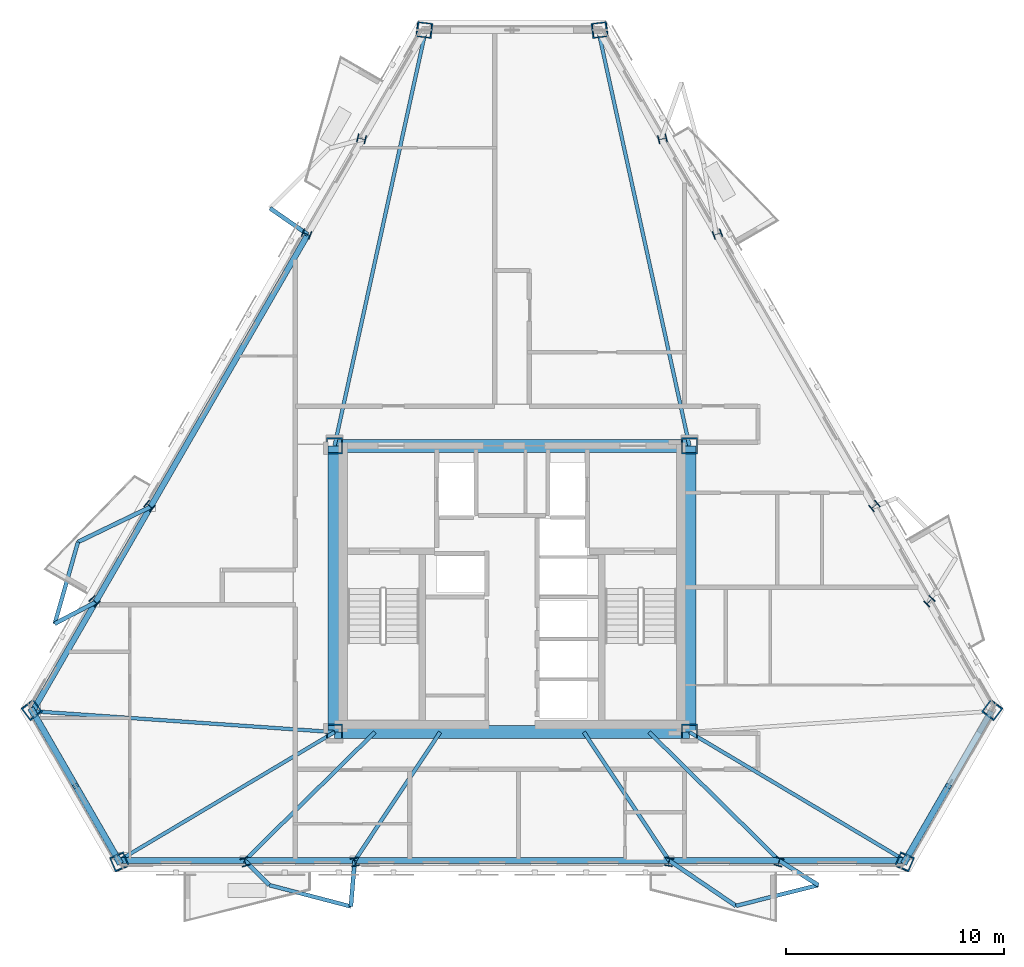
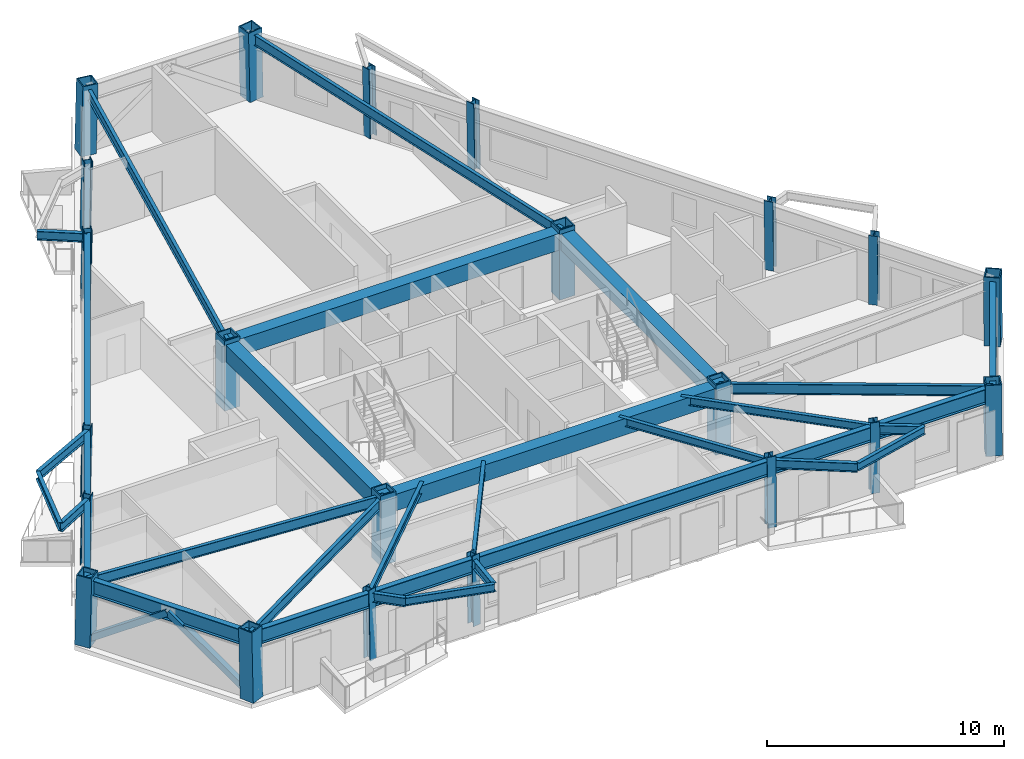
# One storey, part 1 of 10: 33 beams, 22 columns, 3 members.
"""IFC4 building model written with IfcOpenShell, lengths in metres."""

from ifc_helpers import new_model, si_unit, direction, frame, origin, origin_2d, place, context, subcontext, project, spatial, rectangle, hollow_rectangle, i_section, extrude, material, material_profile, profile_set, type_object, element, save


model = new_model("IFC4")

# Units and contexts
model_context = context("Model", 3, precision=1e-05, world=origin(), true_north=direction((0.0, 1.0)))
body_context = subcontext(model_context, "Body", "Model", "MODEL_VIEW")
ifc_project = project(units=[si_unit("LENGTHUNIT", "METRE"), si_unit("AREAUNIT", "SQUARE_METRE"), si_unit("VOLUMEUNIT", "CUBIC_METRE"), si_unit("PLANEANGLEUNIT", "RADIAN"), si_unit("MASSUNIT", "GRAM", prefix="KILO")], contexts=[model_context])

# Site, building, storey
site_placement = place(None, origin())
site = spatial("IfcSite", under=ifc_project, at=site_placement, CompositionType="ELEMENT")
building_placement = place(site_placement, origin())
building = spatial("IfcBuilding", under=site, at=building_placement, Name="Oramaril Tower", CompositionType="ELEMENT")
storey_placement = place(building_placement, frame((0.0, 0.0, 181.800048828125)))
storey = spatial("IfcBuildingStorey", under=building, at=storey_placement, Name="L48", CompositionType="ELEMENT", Elevation=181.800048828125)

# Columns
ifc_material_1 = material(Name="Steel ASTM A572 Gr 50", Category="steel")
ifc_material_profile_1 = material_profile(ifc_material_1, hollow_rectangle(XDim=0.75, YDim=0.75, WallThickness=0.06005859375, at=origin_2d()), Name="BOX750X750X60")
ifc_profile_set_1 = profile_set([ifc_material_profile_1], Name="Steel ASTM A572 Gr 50")
column_type_1 = type_object("IfcColumnType", Name="CT-CC4", PredefinedType="COLUMN", material=ifc_profile_set_1)
for number, where, z_axis, x_axis, name in (
    (1, (29.35009765625, 11.0, 0.0), (0.0, 0.0, 1.0), (1.0, 0.0, 0.0), "L48 Core Column CC-1"),
    (2, (45.64990234375, 11.0, 0.0), (0.0, 0.0, 1.0), (1.0, 0.0, 0.0), "L48 Core Column CC-2"),
    (3, (45.64990234375, 24.14990234375, 0.0), (0.0, 0.0, 1.0), (1.0, 0.0, 0.0), "L48 Core Column CC-3"),
    (4, (29.35009765625, 24.14990234375, 0.0), (0.0, 0.0, 1.0), (1.0, 0.0, 0.0), "L48 Core Column CC-4"),
):
    element("IfcColumn", number, at=place(storey_placement, frame(where, z_axis=z_axis, x_axis=x_axis)), inside=storey, type_object=column_type_1, Name=name, PredefinedType="COLUMN", context=body_context, shape_type="SweptSolid", body=[
        extrude(hollow_rectangle(XDim=0.75, YDim=0.75, WallThickness=0.06005859375, at=origin_2d()), origin(), (0.0, 0.0, 1.0), 3.599853515625),
    ])
ifc_material_2 = material(Name="Steel ASTM A572 Gr 50", Category="steel")
ifc_material_profile_2 = material_profile(ifc_material_2, hollow_rectangle(XDim=0.699951171875, YDim=0.699951171875, WallThickness=0.054931640625, at=origin_2d()), Name="BOX700X700X55")
ifc_profile_set_2 = profile_set([ifc_material_profile_2], Name="Steel ASTM A572 Gr 50")
column_type_2 = type_object("IfcColumnType", Name="CT-TC4", PredefinedType="COLUMN", material=ifc_profile_set_2)
for number, where, z_axis, x_axis, name in (
    (5, (15.4345703125, 12.023681640625, 0.00439453125), (0.012982217353, -0.017264309987, 0.999766675596), (0.799244174971, 0.601006446533, 0.0), "L48 Tube Column TC-01"),
    (6, (19.47314453125, 5.02880859375, 0.00439453125), (-0.008496206183, 0.019915107294, 0.999765574013), (-0.919793275722, -0.392403274625, 0.0), "L48 Tube Column TC-02"),
    (7, (55.52685546875, 5.02880859375, 0.00439453125), (0.008496206183, 0.019915107294, 0.999765574013), (-0.919793275722, 0.392403274625, 0.0), "L48 Tube Column TC-03"),
    (8, (59.5654296875, 12.023681640625, 0.00439453125), (-0.012982217353, -0.017264309987, 0.999766675596), (0.799244174971, -0.601006446533, 0.0), "L48 Tube Column TC-04"),
    (9, (41.53857421875, 43.247314453125, 0.00439453125), (-0.021546352204, -0.002650813047, 0.99976433618), (0.122107751234, -0.992516849776, 0.0), "L48 Tube Column TC-05"),
    (10, (33.46142578125, 43.247314453125, 0.00439453125), (0.021546352204, -0.002650813047, 0.99976433618), (0.122107751234, 0.992516849776, 0.0), "L48 Tube Column TC-06"),
):
    element("IfcColumn", number, at=place(storey_placement, frame(where, z_axis=z_axis, x_axis=x_axis)), inside=storey, type_object=column_type_2, Name=name, PredefinedType="COLUMN", context=body_context, shape_type="SweptSolid", body=[
        extrude(hollow_rectangle(XDim=0.699951171875, YDim=0.699951171875, WallThickness=0.054931640625, at=origin_2d()), origin(), (0.0, 0.0, 1.0), 3.591796875),
    ])
ifc_material_3 = material(Name="Steel ASTM A572 Gr 50", Category="steel")
ifc_material_profile_3 = material_profile(ifc_material_3, i_section(OverallWidth=0.39892578125, OverallDepth=0.385986328125, WebThickness=0.02099609375, FlangeThickness=0.033203125, at=origin_2d()), Name="W14X176")
ifc_profile_set_3 = profile_set([ifc_material_profile_3], Name="Steel ASTM A572 Gr 50")
column_type_3 = type_object("IfcColumnType", Name="CT-TF4", PredefinedType="COLUMN", material=ifc_profile_set_3)
for number, where, z_axis, x_axis, name in (
    (11, (25.24169921875, 5.02880859375, 0.00439453125), (-0.00577753231, 0.019915493727, 0.999784973497), (-0.960402829652, -0.27861515536, 0.0), "L48 Tube Column TC-07"),
    (12, (30.289306640625, 5.02880859375, 0.00439453125), (-0.003398585513, 0.019915711106, 0.999795886203), (-0.9857500352, -0.168216729556, 0.0), "L48 Tube Column TC-08"),
    (13, (44.710693359375, 5.02880859375, 0.00439453125), (0.003398585513, 0.019915711106, 0.999795886203), (-0.9857500352, 0.168216729556, 0.0), "L48 Tube Column TC-09"),
    (14, (49.75830078125, 5.02880859375, 0.00439453125), (0.00577753231, 0.019915493727, 0.999784973497), (-0.960402829652, 0.27861515536, 0.0), "L48 Tube Column TC-10"),
    (15, (56.68115234375, 17.01953125, 0.00439453125), (-0.014409836303, -0.014953603711, 0.999784349924), (0.720077891646, -0.693893241041, 0.0), "L48 Tube Column TC-11"),
    (16, (54.1572265625, 21.390869140625, 0.00439453125), (-0.015497559426, -0.012914632855, 0.999796498249), (0.640184399664, -0.768221279597, 0.0), "L48 Tube Column TC-12"),
    (17, (46.946533203125, 33.880126953125, 0.00439453125), (-0.018964102738, -0.007001084523, 0.999795652933), (0.346328559157, -0.938113281599, 0.0), "L48 Tube Column TC-13"),
    (18, (44.4228515625, 38.25146484375, 0.00439453125), (-0.020119412628, -0.004961882168, 0.999785271426), (0.239447244825, -0.970909376278, 0.0), "L48 Tube Column TC-14"),
    (19, (30.5771484375, 38.25146484375, 0.00439453125), (0.020119412628, -0.004961882168, 0.999785271426), (0.239447244825, 0.970909376278, 0.0), "L48 Tube Column TC-15"),
    (20, (28.053466796875, 33.88037109375, 0.00439453125), (0.018964093669, -0.007069052837, 0.999795174845), (0.349282497369, 0.937017468904, 0.0), "L48 Tube Column TC-16"),
    (21, (20.8427734375, 21.390869140625, 0.00439453125), (0.015497559426, -0.012914632855, 0.999796498249), (0.640184399664, 0.768221279597, 0.0), "L48 Tube Column TC-17"),
    (22, (18.31884765625, 17.01953125, 0.00439453125), (0.014409836303, -0.014953603711, 0.999784349924), (0.720077891646, 0.693893241041, 0.0), "L48 Tube Column TC-18"),
):
    element("IfcColumn", number, at=place(storey_placement, frame(where, z_axis=z_axis, x_axis=x_axis)), inside=storey, type_object=column_type_3, Name=name, PredefinedType="COLUMN", context=body_context, shape_type="SweptSolid", body=[
        extrude(i_section(OverallWidth=0.39892578125, OverallDepth=0.385986328125, WebThickness=0.02099609375, FlangeThickness=0.033203125, at=origin_2d()), origin(), (0.0, 0.0, 1.0), 3.591796875),
    ])

# Beams
ifc_material_4 = material(Name="Steel ASTM A572 Gr 50", Category="steel")
ifc_material_profile_4 = material_profile(ifc_material_4, i_section(OverallWidth=0.19091796875, OverallDepth=0.45703125, WebThickness=0.009033203125, FlangeThickness=0.014404296875, at=origin_2d()), Name="W18X50")
ifc_profile_set_4 = profile_set([ifc_material_profile_4], Name="Steel ASTM A572 Gr 50")
beam_type_1 = type_object("IfcBeamType", Name="BT-BB1", PredefinedType="BEAM", material=ifc_profile_set_4)
beam_1_placement = place(storey_placement, frame((25.220947265625, 5.100341796875, 3.1513671875), z_axis=(0.709012205389, -0.70519620859, 0.0), x_axis=(0.70519620859, 0.709012205389, 0.0)))
element("IfcBeam", 23, at=beam_1_placement, inside=storey, type_object=beam_type_1, Name="L48 Balcony Column-Framed Cantilever 01.1", PredefinedType="BEAM", context=body_context, shape_type="SweptSolid", body=[
    extrude(i_section(OverallWidth=0.19091796875, OverallDepth=0.45703125, WebThickness=0.009033203125, FlangeThickness=0.014404296875, at=origin_2d()), origin(), (0.0, 0.0, 1.0), 1.599365234375),
])
beam_2_placement = place(storey_placement, frame((30.277099609375, 5.100341796875, 3.1513671875), z_axis=(-0.084134268842, -0.996454426859, 0.0), x_axis=(0.996454426859, -0.084134268842, 0.0)))
element("IfcBeam", 24, at=beam_2_placement, inside=storey, type_object=beam_type_1, Name="L48 Balcony Column-Framed Cantilever 01.2", PredefinedType="BEAM", context=body_context, shape_type="SweptSolid", body=[
    extrude(i_section(OverallWidth=0.19091796875, OverallDepth=0.45703125, WebThickness=0.009033203125, FlangeThickness=0.014404296875, at=origin_2d()), origin(), (0.0, 0.0, 1.0), 2.115478515625),
])
beam_3_placement = place(storey_placement, frame((44.722900390625, 5.100341796875, 3.1513671875), z_axis=(0.827186599049, -0.561927335474, 0.0), x_axis=(0.561927335474, 0.827186599049, 0.0)))
element("IfcBeam", 25, at=beam_3_placement, inside=storey, type_object=beam_type_1, Name="L48 Balcony Column-Framed Cantilever 02.1", PredefinedType="BEAM", context=body_context, shape_type="SweptSolid", body=[
    extrude(i_section(OverallWidth=0.19091796875, OverallDepth=0.45703125, WebThickness=0.009033203125, FlangeThickness=0.014404296875, at=origin_2d()), origin(), (0.0, 0.0, 1.0), 3.699951171875),
])
beam_4_placement = place(storey_placement, frame((49.779052734375, 5.100341796875, 3.1513671875), z_axis=(0.846146140903, -0.532950943554, 0.0), x_axis=(0.532950943554, 0.846146140903, 0.0)))
element("IfcBeam", 26, at=beam_4_placement, inside=storey, type_object=beam_type_1, Name="L48 Balcony Column-Framed Cantilever 02.2", PredefinedType="BEAM", context=body_context, shape_type="SweptSolid", body=[
    extrude(i_section(OverallWidth=0.19091796875, OverallDepth=0.45703125, WebThickness=0.009033203125, FlangeThickness=0.014404296875, at=origin_2d()), origin(), (0.0, 0.0, 1.0), 2.116455078125),
])
beam_5_placement = place(storey_placement, frame((28.12158203125, 33.85498046875, 3.1513671875), z_axis=(-0.82086050823, 0.571128729823, 0.0), x_axis=(-0.571128729823, -0.82086050823, 0.0)))
element("IfcBeam", 27, at=beam_5_placement, inside=storey, type_object=beam_type_1, Name="L48 Balcony Column-Framed Cantilever 05.2", PredefinedType="BEAM", context=body_context, shape_type="SweptSolid", body=[
    extrude(i_section(OverallWidth=0.19091796875, OverallDepth=0.45703125, WebThickness=0.009033203125, FlangeThickness=0.014404296875, at=origin_2d()), origin(), (0.0, 0.0, 1.0), 2.115478515625),
])
beam_6_placement = place(storey_placement, frame((20.8984375, 21.344482421875, 3.1513671875), z_axis=(-0.900248530735, -0.435376369258, 0.0), x_axis=(0.435376369258, -0.900248530735, 0.0)))
element("IfcBeam", 28, at=beam_6_placement, inside=storey, type_object=beam_type_1, Name="L48 Balcony Column-Framed Cantilever 06.1", PredefinedType="BEAM", context=body_context, shape_type="SweptSolid", body=[
    extrude(i_section(OverallWidth=0.19091796875, OverallDepth=0.45703125, WebThickness=0.009033203125, FlangeThickness=0.014404296875, at=origin_2d()), origin(), (0.0, 0.0, 1.0), 3.699951171875),
])
beam_7_placement = place(storey_placement, frame((18.37060546875, 16.9658203125, 3.1513671875), z_axis=(-0.884625329938, -0.466302504425, 0.0), x_axis=(0.466302504425, -0.884625329938, 0.0)))
element("IfcBeam", 29, at=beam_7_placement, inside=storey, type_object=beam_type_1, Name="L48 Balcony Column-Framed Cantilever 06.2", PredefinedType="BEAM", context=body_context, shape_type="SweptSolid", body=[
    extrude(i_section(OverallWidth=0.19091796875, OverallDepth=0.45703125, WebThickness=0.009033203125, FlangeThickness=0.014404296875, at=origin_2d()), origin(), (0.0, 0.0, 1.0), 2.11669921875),
])
ifc_material_5 = material(Name="Concrete C50/60", Category="concrete")
ifc_material_profile_5 = material_profile(ifc_material_5, rectangle(XDim=0.60009765625, YDim=0.85009765625, at=origin_2d()), Name="CB600X850")
ifc_profile_set_5 = profile_set([ifc_material_profile_5], Name="Concrete C50/60")
beam_type_2 = type_object("IfcBeamType", Name="BT-CB2", PredefinedType="BEAM", material=ifc_profile_set_5)
beam_8_placement = place(storey_placement, frame((29.35009765625, 11.0, 2.954833984375), z_axis=(1.0, 0.0, 0.0), x_axis=(0.0, 1.0, 0.0)))
element("IfcBeam", 30, at=beam_8_placement, inside=storey, type_object=beam_type_2, Name="L48 Core Header Beam CB-1", PredefinedType="BEAM", context=body_context, shape_type="SweptSolid", body=[
    extrude(rectangle(XDim=0.60009765625, YDim=0.85009765625, at=origin_2d()), origin(), (0.0, 0.0, 1.0), 16.2998046875),
])
beam_9_placement = place(storey_placement, frame((45.64990234375, 11.0, 2.954833984375), z_axis=(0.0, 1.0, 0.0), x_axis=(-1.0, 0.0, 0.0)))
element("IfcBeam", 31, at=beam_9_placement, inside=storey, type_object=beam_type_2, Name="L48 Core Header Beam CB-2", PredefinedType="BEAM", context=body_context, shape_type="SweptSolid", body=[
    extrude(rectangle(XDim=0.60009765625, YDim=0.85009765625, at=origin_2d()), origin(), (0.0, 0.0, 1.0), 13.14990234375),
])
beam_10_placement = place(storey_placement, frame((45.64990234375, 24.14990234375, 2.954833984375), z_axis=(-1.0, 0.0, 0.0), x_axis=(0.0, -1.0, 0.0)))
element("IfcBeam", 32, at=beam_10_placement, inside=storey, type_object=beam_type_2, Name="L48 Core Header Beam CB-3", PredefinedType="BEAM", context=body_context, shape_type="SweptSolid", body=[
    extrude(rectangle(XDim=0.60009765625, YDim=0.85009765625, at=origin_2d()), origin(), (0.0, 0.0, 1.0), 16.2998046875),
])
beam_11_placement = place(storey_placement, frame((29.35009765625, 24.14990234375, 2.954833984375), z_axis=(0.0, -1.0, 0.0), x_axis=(1.0, 0.0, 0.0)))
element("IfcBeam", 33, at=beam_11_placement, inside=storey, type_object=beam_type_2, Name="L48 Core Header Beam CB-4", PredefinedType="BEAM", context=body_context, shape_type="SweptSolid", body=[
    extrude(rectangle(XDim=0.60009765625, YDim=0.85009765625, at=origin_2d()), origin(), (0.0, 0.0, 1.0), 13.14990234375),
])
ifc_material_6 = material(Name="Steel ASTM A572 Gr 50", Category="steel")
ifc_material_profile_6 = material_profile(ifc_material_6, i_section(OverallWidth=0.166015625, OverallDepth=0.528076171875, WebThickness=0.009765625, FlangeThickness=0.013671875, at=origin_2d()), Name="W21X50")
ifc_profile_set_6 = profile_set([ifc_material_profile_6], Name="Steel ASTM A572 Gr 50")
beam_type_3 = type_object("IfcBeamType", Name="BT-FB3", PredefinedType="BEAM", material=ifc_profile_set_6)
beam_12_placement = place(storey_placement, frame((29.35009765625, 11.0, 3.115966796875), z_axis=(-0.997604613389, 0.069173949903, 0.0), x_axis=(-0.069173949903, -0.997604613389, 0.0)))
element("IfcBeam", 34, at=beam_12_placement, inside=storey, type_object=beam_type_3, Name="L48 Radial Primary Beam RB-01", PredefinedType="BEAM", context=body_context, shape_type="SweptSolid", body=[
    extrude(i_section(OverallWidth=0.166015625, OverallDepth=0.528076171875, WebThickness=0.009765625, FlangeThickness=0.013671875, at=origin_2d()), origin(), (0.0, 0.0, 1.0), 13.902099609375),
])
for number, where, z_axis, x_axis, name in (
    (35, (29.35009765625, 11.0, 3.115966796875), (-0.859203138226, -0.511634603269, 0.0), (0.511634603269, -0.859203138226, 0.0), "L48 Radial Primary Beam RB-02"),
    (36, (45.64990234375, 11.0, 3.115966796875), (0.859203138226, -0.511634603269, 0.0), (0.511634603269, 0.859203138226, 0.0), "L48 Radial Primary Beam RB-03"),
):
    element("IfcBeam", number, at=place(storey_placement, frame(where, z_axis=z_axis, x_axis=x_axis)), inside=storey, type_object=beam_type_3, Name=name, PredefinedType="BEAM", context=body_context, shape_type="SweptSolid", body=[
        extrude(i_section(OverallWidth=0.166015625, OverallDepth=0.528076171875, WebThickness=0.009765625, FlangeThickness=0.013671875, at=origin_2d()), origin(), (0.0, 0.0, 1.0), 11.531005859375),
    ])
for number, where, z_axis, x_axis, name in (
    (37, (45.64990234375, 24.14990234375, 3.115966796875), (-0.214343630772, 0.976758316037, 0.0), (-0.976758316037, -0.214343630772, 0.0), "L48 Radial Primary Beam RB-05"),
    (38, (29.35009765625, 24.14990234375, 3.115966796875), (0.214343630772, 0.976758316037, 0.0), (-0.976758316037, 0.214343630772, 0.0), "L48 Radial Primary Beam RB-06"),
):
    element("IfcBeam", number, at=place(storey_placement, frame(where, z_axis=z_axis, x_axis=x_axis)), inside=storey, type_object=beam_type_3, Name=name, PredefinedType="BEAM", context=body_context, shape_type="SweptSolid", body=[
        extrude(i_section(OverallWidth=0.166015625, OverallDepth=0.528076171875, WebThickness=0.009765625, FlangeThickness=0.013671875, at=origin_2d()), origin(), (0.0, 0.0, 1.0), 19.5419921875),
    ])
ifc_material_7 = material(Name="Steel ASTM A572 Gr 50", Category="steel")
ifc_material_profile_7 = material_profile(ifc_material_7, i_section(OverallWidth=0.177978515625, OverallDepth=0.404052734375, WebThickness=0.007568359375, FlangeThickness=0.010986328125, at=origin_2d()), Name="W16X36")
ifc_profile_set_7 = profile_set([ifc_material_profile_7], Name="Steel ASTM A572 Gr 50")
beam_type_4 = type_object("IfcBeamType", Name="BT-SB1", PredefinedType="BEAM", material=ifc_profile_set_7)
beam_13_placement = place(storey_placement, frame((31.199951171875, 11.0, 3.177978515625), z_axis=(-0.71181415093, -0.702367862687, 0.0), x_axis=(0.702367862687, -0.71181415093, 0.0)))
element("IfcBeam", 39, at=beam_13_placement, inside=storey, type_object=beam_type_4, Name="L48 Secondary Floor Beam SB-01", PredefinedType="BEAM", context=body_context, shape_type="SweptSolid", body=[
    extrude(i_section(OverallWidth=0.177978515625, OverallDepth=0.404052734375, WebThickness=0.007568359375, FlangeThickness=0.010986328125, at=origin_2d()), origin(), (0.0, 0.0, 1.0), 8.399658203125),
])
for number, where, z_axis, x_axis, name in (
    (40, (34.199951171875, 11.0, 3.177978515625), (-0.553697813143, -0.83271767828, 0.0), (0.83271767828, -0.553697813143, 0.0), "L48 Secondary Floor Beam SB-02"),
    (41, (40.800048828125, 11.0, 3.177978515625), (0.553697813143, -0.83271767828, 0.0), (0.83271767828, 0.553697813143, 0.0), "L48 Secondary Floor Beam SB-03"),
):
    element("IfcBeam", number, at=place(storey_placement, frame(where, z_axis=z_axis, x_axis=x_axis)), inside=storey, type_object=beam_type_4, Name=name, PredefinedType="BEAM", context=body_context, shape_type="SweptSolid", body=[
        extrude(i_section(OverallWidth=0.177978515625, OverallDepth=0.404052734375, WebThickness=0.007568359375, FlangeThickness=0.010986328125, at=origin_2d()), origin(), (0.0, 0.0, 1.0), 7.084716796875),
    ])
beam_14_placement = place(storey_placement, frame((43.800048828125, 11.0, 3.177978515625), z_axis=(0.71181415093, -0.702367862687, 0.0), x_axis=(0.702367862687, 0.71181415093, 0.0)))
element("IfcBeam", 42, at=beam_14_placement, inside=storey, type_object=beam_type_4, Name="L48 Secondary Floor Beam SB-04", PredefinedType="BEAM", context=body_context, shape_type="SweptSolid", body=[
    extrude(i_section(OverallWidth=0.177978515625, OverallDepth=0.404052734375, WebThickness=0.007568359375, FlangeThickness=0.010986328125, at=origin_2d()), origin(), (0.0, 0.0, 1.0), 8.399658203125),
])
beam_15_placement = place(storey_placement, frame((26.35498046875, 3.972412109375, 3.177978515625), z_axis=(0.967411967632, -0.253207592467, 0.0), x_axis=(0.253207592467, 0.967411967632, 0.0)))
element("IfcBeam", 43, at=beam_15_placement, inside=storey, type_object=beam_type_4, Name="L48 Balcony Edge Tie Beam 01", PredefinedType="BEAM", context=body_context, shape_type="SweptSolid", body=[
    extrude(i_section(OverallWidth=0.177978515625, OverallDepth=0.404052734375, WebThickness=0.007568359375, FlangeThickness=0.010986328125, at=origin_2d()), origin(), (0.0, 0.0, 1.0), 3.870361328125),
])
beam_16_placement = place(storey_placement, frame((47.783447265625, 3.021240234375, 3.177978515625), z_axis=(0.96986597973, 0.243639039076, 0.0), x_axis=(-0.243639039076, 0.96986597973, 0.0)))
element("IfcBeam", 44, at=beam_16_placement, inside=storey, type_object=beam_type_4, Name="L48 Balcony Edge Tie Beam 02", PredefinedType="BEAM", context=body_context, shape_type="SweptSolid", body=[
    extrude(i_section(OverallWidth=0.177978515625, OverallDepth=0.404052734375, WebThickness=0.007568359375, FlangeThickness=0.010986328125, at=origin_2d()), origin(), (0.0, 0.0, 1.0), 3.904052734375),
])
beam_17_placement = place(storey_placement, frame((17.567626953125, 19.733642578125, 3.177978515625), z_axis=(-0.273952957765, -0.961743092999, 0.0), x_axis=(0.961743092999, -0.273952957765, 0.0)))
element("IfcBeam", 45, at=beam_17_placement, inside=storey, type_object=beam_type_4, Name="L48 Balcony Edge Tie Beam 06", PredefinedType="BEAM", context=body_context, shape_type="SweptSolid", body=[
    extrude(i_section(OverallWidth=0.177978515625, OverallDepth=0.404052734375, WebThickness=0.007568359375, FlangeThickness=0.010986328125, at=origin_2d()), origin(), (0.0, 0.0, 1.0), 3.904296875),
])
ifc_material_8 = material(Name="Steel ASTM A572 Gr 50", Category="steel")
ifc_material_profile_8 = material_profile(ifc_material_8, i_section(OverallWidth=0.26708984375, OverallDepth=0.77001953125, WebThickness=0.015625, FlangeThickness=0.025390625, at=origin_2d()), Name="W30X132")
ifc_profile_set_8 = profile_set([ifc_material_profile_8], Name="Steel ASTM A572 Gr 50")
beam_type_5 = type_object("IfcBeamType", Name="BT-SP3", PredefinedType="SPANDREL", material=ifc_profile_set_8)
beam_18_placement = place(storey_placement, frame((15.481201171875, 11.961669921875, 2.994873046875), z_axis=(0.500003421258, -0.866023428511, 0.0), x_axis=(0.866023428511, 0.500003421258, 0.0)))
element("IfcBeam", 46, at=beam_18_placement, inside=storey, type_object=beam_type_5, Name="L48 Perimeter Spandrel 01", PredefinedType="SPANDREL", context=body_context, shape_type="SweptSolid", body=[
    extrude(i_section(OverallWidth=0.26708984375, OverallDepth=0.77001953125, WebThickness=0.015625, FlangeThickness=0.025390625, at=origin_2d()), origin(), (0.0, 0.0, 1.0), 7.9228515625),
])
beam_19_placement = place(storey_placement, frame((19.442626953125, 5.100341796875, 2.994873046875), z_axis=(1.0, 0.0, 0.0), x_axis=(0.0, 1.0, 0.0)))
element("IfcBeam", 47, at=beam_19_placement, inside=storey, type_object=beam_type_5, Name="L48 Perimeter Spandrel 02", PredefinedType="SPANDREL", context=body_context, shape_type="SweptSolid", body=[
    extrude(i_section(OverallWidth=0.26708984375, OverallDepth=0.77001953125, WebThickness=0.015625, FlangeThickness=0.025390625, at=origin_2d()), origin(), (0.0, 0.0, 1.0), 5.7783203125),
])
beam_20_placement = place(storey_placement, frame((25.220947265625, 5.100341796875, 2.994873046875), z_axis=(1.0, 0.0, 0.0), x_axis=(0.0, 1.0, 0.0)))
element("IfcBeam", 48, at=beam_20_placement, inside=storey, type_object=beam_type_5, Name="L48 Perimeter Spandrel 03", PredefinedType="SPANDREL", context=body_context, shape_type="SweptSolid", body=[
    extrude(i_section(OverallWidth=0.26708984375, OverallDepth=0.77001953125, WebThickness=0.015625, FlangeThickness=0.025390625, at=origin_2d()), origin(), (0.0, 0.0, 1.0), 5.05615234375),
])
beam_21_placement = place(storey_placement, frame((30.277099609375, 5.100341796875, 2.994873046875), z_axis=(1.0, 0.0, 0.0), x_axis=(0.0, 1.0, 0.0)))
element("IfcBeam", 49, at=beam_21_placement, inside=storey, type_object=beam_type_5, Name="L48 Perimeter Spandrel 04", PredefinedType="SPANDREL", context=body_context, shape_type="SweptSolid", body=[
    extrude(i_section(OverallWidth=0.26708984375, OverallDepth=0.77001953125, WebThickness=0.015625, FlangeThickness=0.025390625, at=origin_2d()), origin(), (0.0, 0.0, 1.0), 14.44580078125),
])
beam_22_placement = place(storey_placement, frame((44.722900390625, 5.100341796875, 2.994873046875), z_axis=(1.0, 0.0, 0.0), x_axis=(0.0, 1.0, 0.0)))
element("IfcBeam", 50, at=beam_22_placement, inside=storey, type_object=beam_type_5, Name="L48 Perimeter Spandrel 05", PredefinedType="SPANDREL", context=body_context, shape_type="SweptSolid", body=[
    extrude(i_section(OverallWidth=0.26708984375, OverallDepth=0.77001953125, WebThickness=0.015625, FlangeThickness=0.025390625, at=origin_2d()), origin(), (0.0, 0.0, 1.0), 5.05615234375),
])
beam_23_placement = place(storey_placement, frame((49.779052734375, 5.100341796875, 2.994873046875), z_axis=(1.0, 0.0, 0.0), x_axis=(0.0, 1.0, 0.0)))
element("IfcBeam", 51, at=beam_23_placement, inside=storey, type_object=beam_type_5, Name="L48 Perimeter Spandrel 06", PredefinedType="SPANDREL", context=body_context, shape_type="SweptSolid", body=[
    extrude(i_section(OverallWidth=0.26708984375, OverallDepth=0.77001953125, WebThickness=0.015625, FlangeThickness=0.025390625, at=origin_2d()), origin(), (0.0, 0.0, 1.0), 5.7783203125),
])
beam_24_placement = place(storey_placement, frame((55.557373046875, 5.100341796875, 2.994873046875), z_axis=(0.500003421258, 0.866023428511, 0.0), x_axis=(-0.866023428511, 0.500003421258, 0.0)))
element("IfcBeam", 52, at=beam_24_placement, inside=storey, type_object=beam_type_5, Name="L48 Perimeter Spandrel 07", PredefinedType="SPANDREL", context=body_context, shape_type="SweptSolid", body=[
    extrude(i_section(OverallWidth=0.26708984375, OverallDepth=0.77001953125, WebThickness=0.015625, FlangeThickness=0.025390625, at=origin_2d()), origin(), (0.0, 0.0, 1.0), 7.9228515625),
])
beam_25_placement = place(storey_placement, frame((28.12158203125, 33.85498046875, 2.994873046875), z_axis=(-0.500010649093, -0.866019255441, 0.0), x_axis=(0.866019255441, -0.500010649093, 0.0)))
element("IfcBeam", 53, at=beam_25_placement, inside=storey, type_object=beam_type_5, Name="L48 Perimeter Spandrel 16", PredefinedType="SPANDREL", context=body_context, shape_type="SweptSolid", body=[
    extrude(i_section(OverallWidth=0.26708984375, OverallDepth=0.77001953125, WebThickness=0.015625, FlangeThickness=0.025390625, at=origin_2d()), origin(), (0.0, 0.0, 1.0), 14.446044921875),
])
beam_26_placement = place(storey_placement, frame((20.8984375, 21.344482421875, 2.994873046875), z_axis=(-0.4999718572, -0.866041651428, 0.0), x_axis=(0.866041651428, -0.4999718572, 0.0)))
element("IfcBeam", 54, at=beam_26_placement, inside=storey, type_object=beam_type_5, Name="L48 Perimeter Spandrel 17", PredefinedType="SPANDREL", context=body_context, shape_type="SweptSolid", body=[
    extrude(i_section(OverallWidth=0.26708984375, OverallDepth=0.77001953125, WebThickness=0.015625, FlangeThickness=0.025390625, at=origin_2d()), origin(), (0.0, 0.0, 1.0), 5.055908203125),
])
beam_27_placement = place(storey_placement, frame((18.37060546875, 16.9658203125, 2.994873046875), z_axis=(-0.500033320368, -0.866006165406, 0.0), x_axis=(0.866006165406, -0.500033320368, 0.0)))
element("IfcBeam", 55, at=beam_27_placement, inside=storey, type_object=beam_type_5, Name="L48 Perimeter Spandrel 18", PredefinedType="SPANDREL", context=body_context, shape_type="SweptSolid", body=[
    extrude(i_section(OverallWidth=0.26708984375, OverallDepth=0.77001953125, WebThickness=0.015625, FlangeThickness=0.025390625, at=origin_2d()), origin(), (0.0, 0.0, 1.0), 5.7783203125),
])

# Members
ifc_material_9 = material(Name="Steel ASTM A572 Gr 50", Category="steel")
ifc_material_profile_9 = material_profile(ifc_material_9, hollow_rectangle(XDim=0.300048828125, YDim=0.300048828125, WallThickness=0.01611328125, at=origin_2d()), Name="HSS300X300X16")
ifc_profile_set_9 = profile_set([ifc_material_profile_9], Name="Steel ASTM A572 Gr 50")
member_type = type_object("IfcMemberType", Name="MT-KB2", PredefinedType="BRACE", material=ifc_profile_set_9)
member_placement = place(storey_placement, frame((15.4345703125, 12.023681640625, 0.179931640625), z_axis=(0.410202073742, -0.7104515423, 0.571832899317), x_axis=(0.86601343004, 0.500020738559, 0.0)))
element("IfcMember", 56, at=member_placement, inside=storey, type_object=member_type, Name="L48 Perimeter Chevron Brace KB-1A", PredefinedType="BRACE", context=body_context, shape_type="SweptSolid", body=[
    extrude(hollow_rectangle(XDim=0.300048828125, YDim=0.300048828125, WallThickness=0.01611328125, at=origin_2d()), origin(), (0.0, 0.0, 1.0), 4.922607421875),
])
for number, where, z_axis, x_axis, name in (
    (57, (19.47314453125, 5.02880859375, 0.179931640625), (-0.410187620531, 0.710476103462, 0.571812751146), (-0.86602854378, -0.499994561329, 0.0), "L48 Perimeter Chevron Brace KB-1B"),
    (58, (55.52685546875, 5.02880859375, 0.179931640625), (0.410187620531, 0.710476103462, 0.571812751146), (-0.86602854378, 0.499994561329, 0.0), "L48 Perimeter Chevron Brace KB-2A"),
):
    element("IfcMember", number, at=place(storey_placement, frame(where, z_axis=z_axis, x_axis=x_axis)), inside=storey, type_object=member_type, Name=name, PredefinedType="BRACE", context=body_context, shape_type="SweptSolid", body=[
        extrude(hollow_rectangle(XDim=0.300048828125, YDim=0.300048828125, WallThickness=0.01611328125, at=origin_2d()), origin(), (0.0, 0.0, 1.0), 4.9228515625),
    ])

save(model, "model.ifc")
